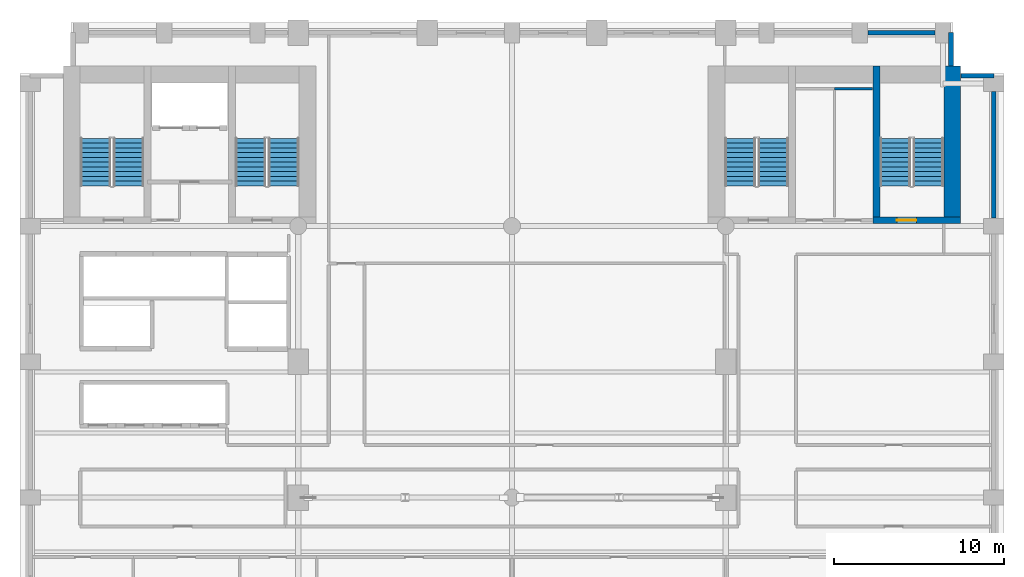
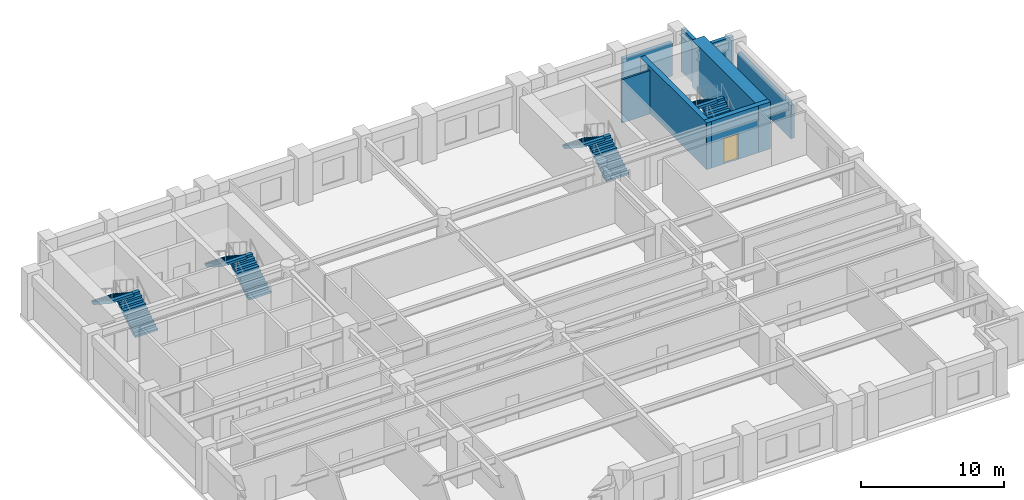
# One storey, part 8 of 10: 8 stair flights, 8 walls, 1 door, 1 opening, 4 elements without a shape of their own.
"""IFC4 building model written with IfcOpenShell, lengths in metres."""

from ifc_helpers import new_model, si_unit, direction, frame, frame_2d, origin, place, context, subcontext, project, spatial, polyline, rectangle, outline, extrude, material, layer, layer_set, type_object, element, fill, aggregate, save


model = new_model("IFC4")

# Units and contexts
model_context = context("Model", 3, precision=1e-05, world=origin(), true_north=direction((0.0, 1.0)))
body_context = subcontext(model_context, "Body", "Model", "MODEL_VIEW")
ifc_project = project(units=[si_unit("LENGTHUNIT", "METRE"), si_unit("AREAUNIT", "SQUARE_METRE"), si_unit("VOLUMEUNIT", "CUBIC_METRE"), si_unit("PLANEANGLEUNIT", "RADIAN"), si_unit("MASSUNIT", "GRAM", prefix="KILO")], contexts=[model_context])

# Site, building, storey
site_placement = place(None, origin())
site = spatial("IfcSite", under=ifc_project, at=site_placement, CompositionType="ELEMENT")
building_placement = place(site_placement, origin())
building = spatial("IfcBuilding", under=site, at=building_placement, Name="Sulina Concourse Tower", CompositionType="ELEMENT")
storey_placement = place(building_placement, frame((0.0, 0.0, 54.60009765625)))
storey = spatial("IfcBuildingStorey", under=building, at=storey_placement, Name="L13", CompositionType="ELEMENT", Elevation=54.60009765625)

# Wall
ifc_material_1 = material(Name="Gypsum board on steel stud", Category="steel")
ifc_layer_1 = layer(ifc_material_1, 0.14990234375)
ifc_layer_set_1 = layer_set([ifc_layer_1], Name="Gypsum board on steel stud")
wall_type_1 = type_object("IfcWallType", Name="Inter-Tenancy Acoustic Partition 150mm", PredefinedType="PARTITIONING", material=ifc_layer_set_1)
wall_1_placement = place(storey_placement, frame((48.0, 42.10009765625, 0.0), z_axis=(0.0, 0.0, 1.0), x_axis=(1.0, 0.0, 0.0)))
element("IfcWall", 1, at=wall_1_placement, inside=storey, type_object=wall_type_1, Name="L13 interior partition 026", PredefinedType="PARTITIONING", context=body_context, shape_type="SweptSolid", body=[
    extrude(rectangle(XDim=2.25, YDim=0.14990234375, at=frame_2d((1.125, 0.0))), origin(), (0.0, 0.0, 1.0), 3.699951171875),
])

# Wall, opening, door
ifc_material_2 = material(Name="Concrete C60/75", Category="concrete")
ifc_layer_2 = layer(ifc_material_2, 0.39990234375)
ifc_layer_set_2 = layer_set([ifc_layer_2], Name="Concrete C60/75")
wall_type_2 = type_object("IfcWallType", Name="Protected Stair Core Shear Wall 400mm", PredefinedType="SHEAR", material=ifc_layer_set_2)
wall_2_placement = place(storey_placement, frame((50.2900390625, 34.35009765625, 0.0), z_axis=(0.0, 0.0, 1.0), x_axis=(1.0, 0.0, 0.0)))
wall_2 = element("IfcWall", 2, at=wall_2_placement, inside=storey, type_object=wall_type_2, Name="L13 east core shear wall CW-ES2", PredefinedType="SHEAR", context=body_context, shape_type="SweptSolid", body=[
    extrude(rectangle(XDim=5.159912109375, YDim=0.39990234375, at=frame_2d((2.580078125, 0.0))), origin(), (0.0, 0.0, 1.0), 4.0),
])
opening_placement = place(wall_2_placement, frame((1.39990234375, 0.0, 0.0)))
opening = element("IfcOpeningElement", 3, at=opening_placement, cuts=wall_2, Name="Opening DR-60", PredefinedType="OPENING", context=body_context, shape_type="SweptSolid", body=[
    extrude(rectangle(XDim=1.14990234375, YDim=2.199951171875, at=frame_2d((0.574951171875, 1.10009765625))), frame((0.0, 0.2099609375, 0.0), z_axis=(0.0, -1.0, 0.0), x_axis=(1.0, 0.0, 0.0)), (0.0, 0.0, 1.0), 0.419921875),
])
ifc_material_3 = material(Name="Galvanised steel acoustic fire leaf", Category="steel")
ifc_layer_3 = layer(ifc_material_3, 0.054931640625)
ifc_layer_set_3 = layer_set([ifc_layer_3], Name="Galvanised steel acoustic fire leaf")
door_type = type_object("IfcDoorType", Name="Protected Exit Stair Fire Door 1150x2200", OperationType="NOTDEFINED", PredefinedType="DOOR", material=ifc_layer_set_3)
door_placement = place(opening_placement, origin())
door = element("IfcDoor", 4, at=door_placement, inside=storey, type_object=door_type, Name="L13 stair ST-4 south lobby fire door", OperationType="SINGLE_SWING_RIGHT", OverallHeight=2.199951171875, OverallWidth=1.14990234375, PredefinedType="DOOR", context=body_context, shape_type="SweptSolid", body=[
    extrude(rectangle(XDim=1.14990234375, YDim=2.199951171875, at=frame_2d((0.574951171875, 1.10009765625))), frame((0.0, 0.02490234375, 0.0), z_axis=(0.0, -1.0, 0.0), x_axis=(1.0, 0.0, 0.0)), (0.0, 0.0, 1.0), 0.050048828125),
])
fill(opening, door)

# Walls
wall_3_placement = place(storey_placement, frame((50.489990234375, 34.14990234375, 0.0), z_axis=(0.0, 0.0, 1.0), x_axis=(0.0, 1.0, 0.0)))
element("IfcWall", 5, at=wall_3_placement, inside=storey, type_object=wall_type_2, Name="L13 east core shear wall SW-ST4", PredefinedType="SHEAR", context=body_context, shape_type="SweptSolid", body=[
    extrude(rectangle(XDim=9.280029296875, YDim=0.39990234375, at=frame_2d((4.64013671875, 0.0))), origin(), (0.0, 0.0, 1.0), 4.0),
])
ifc_material_4 = material(Name="Concrete C80/95", Category="concrete")
ifc_layer_4 = layer(ifc_material_4, 1.0)
ifc_layer_set_4 = layer_set([ifc_layer_4], Name="Concrete C80/95")
wall_type_3 = type_object("IfcWallType", Name="Rear Core Shear Wall 1000mm", PredefinedType="SHEAR", material=ifc_layer_set_4)
wall_4_placement = place(storey_placement, frame((54.949951171875, 34.14990234375, 0.0), z_axis=(0.0, 0.0, 1.0), x_axis=(0.0, 1.0, 0.0)))
element("IfcWall", 6, at=wall_4_placement, inside=storey, type_object=wall_type_3, Name="L13 east core shear wall CW-EE", PredefinedType="SHEAR", context=body_context, shape_type="SweptSolid", body=[
    extrude(rectangle(XDim=9.280029296875, YDim=1.0, at=frame_2d((4.64013671875, 0.0))), origin(), (0.0, 0.0, 1.0), 4.0),
])
ifc_material_5 = material(Name="Precast concrete C50/60", Category="concrete")
ifc_layer_5 = layer(ifc_material_5, 0.280029296875)
ifc_layer_set_5 = layer_set([ifc_layer_5], Name="Precast concrete C50/60")
wall_type_4 = type_object("IfcWallType", Name="Typical Precast Masonry-Frame Facade Wall 280mm", PredefinedType="SOLIDWALL", material=ifc_layer_set_5)
wall_5_placement = place(storey_placement, frame((49.969970703125, 45.39990234375, 0.0), z_axis=(0.0, 0.0, 1.0), x_axis=(1.0, 0.0, 0.0)))
element("IfcWall", 7, at=wall_5_placement, inside=storey, type_object=wall_type_4, Name="L13 exterior precast wall N10", PredefinedType="SOLIDWALL", context=body_context, shape_type="SweptSolid", body=[
    extrude(rectangle(XDim=3.9599609375, YDim=0.280029296875, at=frame_2d((1.97998046875, 0.0))), origin(), (0.0, 0.0, 1.0), 2.849853515625),
])
wall_6_placement = place(storey_placement, frame((57.39990234375, 41.929931640625, 0.0), z_axis=(0.0, 0.0, 1.0), x_axis=(0.0, -1.0, 0.0)))
element("IfcWall", 8, at=wall_6_placement, inside=storey, type_object=wall_type_4, Name="L13 exterior precast wall E5", PredefinedType="SOLIDWALL", context=body_context, shape_type="SweptSolid", body=[
    extrude(rectangle(XDim=7.4599609375, YDim=0.280029296875, at=frame_2d((3.72998046875, 0.0))), origin(), (0.0, 0.0, 1.0), 2.849853515625),
])
wall_7_placement = place(storey_placement, frame((54.8701171875, 45.39990234375, 0.0), z_axis=(0.0, 0.0, 1.0), x_axis=(0.0, -1.0, 0.0)))
element("IfcWall", 9, at=wall_7_placement, inside=storey, type_object=wall_type_4, Name="L13 exterior precast wall CNE1", PredefinedType="SOLIDWALL", context=body_context, shape_type="SweptSolid", body=[
    extrude(rectangle(XDim=1.96484375, YDim=0.280029296875, at=frame_2d((0.982421875, 0.0))), origin(), (0.0, 0.0, 1.0), 3.699951171875),
])
wall_8_placement = place(storey_placement, frame((55.455078125, 42.8701171875, 0.0), z_axis=(0.0, 0.0, 1.0), x_axis=(1.0, 0.0, 0.0)))
element("IfcWall", 10, at=wall_8_placement, inside=storey, type_object=wall_type_4, Name="L13 exterior precast wall CNE2", PredefinedType="SOLIDWALL", context=body_context, shape_type="SweptSolid", body=[
    extrude(rectangle(XDim=1.94482421875, YDim=0.280029296875, at=frame_2d((0.972412109375, 0.0))), origin(), (0.0, 0.0, 1.0), 3.699951171875),
])

# Stair, stair flights
ifc_material_6 = material(Name="Concrete C50/60", Category="concrete")
stair_type_1 = type_object("IfcStairType", Name="Portal & Podium Core Exit Stair 1820mm", PredefinedType="HALF_TURN_STAIR", material=ifc_material_6)
stair_1_placement = place(storey_placement, origin())
stair_1 = element("IfcStair", 11, at=stair_1_placement, inside=storey, type_object=stair_type_1, Name="L13 ST-3", PredefinedType="HALF_TURN_STAIR")
ifc_material_7 = material(Name="Concrete C50/60", Category="concrete")
stair_flight_type_1 = type_object("IfcStairFlightType", Name="Portal & Podium Core Exit Stair 1820mm Flight", PredefinedType="STRAIGHT", material=ifc_material_7)
stair_flight_1_placement = place(storey_placement, frame((44.405029296875, 36.375, 0.0), z_axis=(0.0, 0.0, 1.0), x_axis=(0.0, 1.0, 0.0)))
stair_flight_1 = element("IfcStairFlight", 12, at=stair_flight_1_placement, type_object=stair_flight_type_1, Name="ST-3 flight 1", NumberOfRisers=11, NumberOfTreads=10, PredefinedType="STRAIGHT", RiserHeight=0.181818182, TreadLength=0.28, context=body_context, shape_type="SweptSolid", body=[
    extrude(outline(polyline([(0.0, 0.0), (0.0, 0.181884765625), (0.280029296875, 0.181884765625), (0.280029296875, 0.363525390625), (0.56005859375, 0.363525390625), (0.56005859375, 0.54541015625), (0.840087890625, 0.54541015625), (0.840087890625, 0.727294921875), (1.1201171875, 0.727294921875), (1.1201171875, 0.9091796875), (1.39990234375, 0.9091796875), (1.39990234375, 1.0908203125), (1.679931640625, 1.0908203125), (1.679931640625, 1.272705078125), (1.9599609375, 1.272705078125), (1.9599609375, 1.45458984375), (2.239990234375, 1.45458984375), (2.239990234375, 1.636474609375), (2.52001953125, 1.636474609375), (2.52001953125, 1.818115234375), (2.800048828125, 1.818115234375), (2.800048828125, 2.0), (2.800048828125, 1.603759765625), (0.330322265625, 0.0), (0.0, 0.0)])), frame((0.0, 0.89990234375, 0.0), z_axis=(0.0, -1.0, 0.0), x_axis=(1.0, 0.0, 0.0)), (0.0, 0.0, 1.0), 1.800048828125),
])
stair_flight_2_placement = place(storey_placement, frame((42.455078125, 39.175048828125, 2.0), z_axis=(0.0, 0.0, 1.0), x_axis=(0.0, -1.0, 0.0)))
stair_flight_2 = element("IfcStairFlight", 13, at=stair_flight_2_placement, type_object=stair_flight_type_1, Name="ST-3 flight 2", NumberOfRisers=11, NumberOfTreads=10, PredefinedType="STRAIGHT", RiserHeight=0.181818182, TreadLength=0.28, context=body_context, shape_type="SweptSolid", body=[
    extrude(outline(polyline([(0.0, 0.0), (0.0, 0.181884765625), (0.280029296875, 0.181884765625), (0.280029296875, 0.363525390625), (0.56005859375, 0.363525390625), (0.56005859375, 0.54541015625), (0.840087890625, 0.54541015625), (0.840087890625, 0.727294921875), (1.1201171875, 0.727294921875), (1.1201171875, 0.9091796875), (1.39990234375, 0.9091796875), (1.39990234375, 1.0908203125), (1.679931640625, 1.0908203125), (1.679931640625, 1.272705078125), (1.9599609375, 1.272705078125), (1.9599609375, 1.45458984375), (2.239990234375, 1.45458984375), (2.239990234375, 1.636474609375), (2.52001953125, 1.636474609375), (2.52001953125, 1.818115234375), (2.800048828125, 1.818115234375), (2.800048828125, 2.0), (2.800048828125, 1.603759765625), (0.330322265625, 0.0), (0.0, 0.0)])), frame((0.0, 0.89990234375, 0.0), z_axis=(0.0, -1.0, 0.0), x_axis=(1.0, 0.0, 0.0)), (0.0, 0.0, 1.0), 1.800048828125),
])
aggregate(stair_1, [stair_flight_1, stair_flight_2])

stair_2_placement = place(storey_placement, origin())
stair_2 = element("IfcStair", 14, at=stair_2_placement, inside=storey, type_object=stair_type_1, Name="L13 ST-4", PredefinedType="HALF_TURN_STAIR")
stair_flight_3_placement = place(storey_placement, frame((53.544921875, 36.375, 0.0), z_axis=(0.0, 0.0, 1.0), x_axis=(0.0, 1.0, 0.0)))
stair_flight_3 = element("IfcStairFlight", 15, at=stair_flight_3_placement, type_object=stair_flight_type_1, Name="ST-4 flight 1", NumberOfRisers=11, NumberOfTreads=10, PredefinedType="STRAIGHT", RiserHeight=0.181818182, TreadLength=0.28, context=body_context, shape_type="SweptSolid", body=[
    extrude(outline(polyline([(0.0, 0.0), (0.0, 0.181884765625), (0.280029296875, 0.181884765625), (0.280029296875, 0.363525390625), (0.56005859375, 0.363525390625), (0.56005859375, 0.54541015625), (0.840087890625, 0.54541015625), (0.840087890625, 0.727294921875), (1.1201171875, 0.727294921875), (1.1201171875, 0.9091796875), (1.39990234375, 0.9091796875), (1.39990234375, 1.0908203125), (1.679931640625, 1.0908203125), (1.679931640625, 1.272705078125), (1.9599609375, 1.272705078125), (1.9599609375, 1.45458984375), (2.239990234375, 1.45458984375), (2.239990234375, 1.636474609375), (2.52001953125, 1.636474609375), (2.52001953125, 1.818115234375), (2.800048828125, 1.818115234375), (2.800048828125, 2.0), (2.800048828125, 1.603759765625), (0.330322265625, 0.0), (0.0, 0.0)])), frame((0.0, 0.89990234375, 0.0), z_axis=(0.0, -1.0, 0.0), x_axis=(1.0, 0.0, 0.0)), (0.0, 0.0, 1.0), 1.800048828125),
])
stair_flight_4_placement = place(storey_placement, frame((51.594970703125, 39.175048828125, 2.0), z_axis=(0.0, 0.0, 1.0), x_axis=(0.0, -1.0, 0.0)))
stair_flight_4 = element("IfcStairFlight", 16, at=stair_flight_4_placement, type_object=stair_flight_type_1, Name="ST-4 flight 2", NumberOfRisers=11, NumberOfTreads=10, PredefinedType="STRAIGHT", RiserHeight=0.181818182, TreadLength=0.28, context=body_context, shape_type="SweptSolid", body=[
    extrude(outline(polyline([(0.0, 0.0), (0.0, 0.181884765625), (0.280029296875, 0.181884765625), (0.280029296875, 0.363525390625), (0.56005859375, 0.363525390625), (0.56005859375, 0.54541015625), (0.840087890625, 0.54541015625), (0.840087890625, 0.727294921875), (1.1201171875, 0.727294921875), (1.1201171875, 0.9091796875), (1.39990234375, 0.9091796875), (1.39990234375, 1.0908203125), (1.679931640625, 1.0908203125), (1.679931640625, 1.272705078125), (1.9599609375, 1.272705078125), (1.9599609375, 1.45458984375), (2.239990234375, 1.45458984375), (2.239990234375, 1.636474609375), (2.52001953125, 1.636474609375), (2.52001953125, 1.818115234375), (2.800048828125, 1.818115234375), (2.800048828125, 2.0), (2.800048828125, 1.603759765625), (0.330322265625, 0.0), (0.0, 0.0)])), frame((0.0, 0.89990234375, 0.0), z_axis=(0.0, -1.0, 0.0), x_axis=(1.0, 0.0, 0.0)), (0.0, 0.0, 1.0), 1.800048828125),
])
aggregate(stair_2, [stair_flight_3, stair_flight_4])

ifc_material_8 = material(Name="Concrete C50/60", Category="concrete")
stair_type_2 = type_object("IfcStairType", Name="Primary Core Dog-Leg Exit Stair 1800mm", PredefinedType="HALF_TURN_STAIR", material=ifc_material_8)
stair_3_placement = place(storey_placement, origin())
stair_3 = element("IfcStair", 17, at=stair_3_placement, inside=storey, type_object=stair_type_2, Name="L13 ST-1", PredefinedType="HALF_TURN_STAIR")
ifc_material_9 = material(Name="Concrete C50/60", Category="concrete")
stair_flight_type_2 = type_object("IfcStairFlightType", Name="Primary Core Dog-Leg Exit Stair 1800mm Flight", PredefinedType="STRAIGHT", material=ifc_material_9)
stair_flight_5_placement = place(storey_placement, frame((6.405029296875, 36.375, 0.0), z_axis=(0.0, 0.0, 1.0), x_axis=(0.0, 1.0, 0.0)))
stair_flight_5 = element("IfcStairFlight", 18, at=stair_flight_5_placement, type_object=stair_flight_type_2, Name="ST-1 flight 1", NumberOfRisers=11, NumberOfTreads=10, PredefinedType="STRAIGHT", RiserHeight=0.181818182, TreadLength=0.28, context=body_context, shape_type="SweptSolid", body=[
    extrude(outline(polyline([(0.0, 0.0), (0.0, 0.181884765625), (0.280029296875, 0.181884765625), (0.280029296875, 0.363525390625), (0.56005859375, 0.363525390625), (0.56005859375, 0.54541015625), (0.840087890625, 0.54541015625), (0.840087890625, 0.727294921875), (1.1201171875, 0.727294921875), (1.1201171875, 0.9091796875), (1.39990234375, 0.9091796875), (1.39990234375, 1.0908203125), (1.679931640625, 1.0908203125), (1.679931640625, 1.272705078125), (1.9599609375, 1.272705078125), (1.9599609375, 1.45458984375), (2.239990234375, 1.45458984375), (2.239990234375, 1.636474609375), (2.52001953125, 1.636474609375), (2.52001953125, 1.818115234375), (2.800048828125, 1.818115234375), (2.800048828125, 2.0), (2.800048828125, 1.603759765625), (0.330322265625, 0.0), (0.0, 0.0)])), frame((0.0, 0.89990234375, 0.0), z_axis=(0.0, -1.0, 0.0), x_axis=(1.0, 0.0, 0.0)), (0.0, 0.0, 1.0), 1.800048828125),
])
stair_flight_6_placement = place(storey_placement, frame((4.455078125, 39.175048828125, 2.0), z_axis=(0.0, 0.0, 1.0), x_axis=(0.0, -1.0, 0.0)))
stair_flight_6 = element("IfcStairFlight", 19, at=stair_flight_6_placement, type_object=stair_flight_type_2, Name="ST-1 flight 2", NumberOfRisers=11, NumberOfTreads=10, PredefinedType="STRAIGHT", RiserHeight=0.181818182, TreadLength=0.28, context=body_context, shape_type="SweptSolid", body=[
    extrude(outline(polyline([(0.0, 0.0), (0.0, 0.181884765625), (0.280029296875, 0.181884765625), (0.280029296875, 0.363525390625), (0.56005859375, 0.363525390625), (0.56005859375, 0.54541015625), (0.840087890625, 0.54541015625), (0.840087890625, 0.727294921875), (1.1201171875, 0.727294921875), (1.1201171875, 0.9091796875), (1.39990234375, 0.9091796875), (1.39990234375, 1.0908203125), (1.679931640625, 1.0908203125), (1.679931640625, 1.272705078125), (1.9599609375, 1.272705078125), (1.9599609375, 1.45458984375), (2.239990234375, 1.45458984375), (2.239990234375, 1.636474609375), (2.52001953125, 1.636474609375), (2.52001953125, 1.818115234375), (2.800048828125, 1.818115234375), (2.800048828125, 2.0), (2.800048828125, 1.603759765625), (0.330322265625, 0.0), (0.0, 0.0)])), frame((0.0, 0.89990234375, 0.0), z_axis=(0.0, -1.0, 0.0), x_axis=(1.0, 0.0, 0.0)), (0.0, 0.0, 1.0), 1.800048828125),
])
aggregate(stair_3, [stair_flight_5, stair_flight_6])

stair_4_placement = place(storey_placement, origin())
stair_4 = element("IfcStair", 20, at=stair_4_placement, inside=storey, type_object=stair_type_2, Name="L13 ST-2", PredefinedType="HALF_TURN_STAIR")
stair_flight_7_placement = place(storey_placement, frame((15.544921875, 36.375, 0.0), z_axis=(0.0, 0.0, 1.0), x_axis=(0.0, 1.0, 0.0)))
stair_flight_7 = element("IfcStairFlight", 21, at=stair_flight_7_placement, type_object=stair_flight_type_2, Name="ST-2 flight 1", NumberOfRisers=11, NumberOfTreads=10, PredefinedType="STRAIGHT", RiserHeight=0.181818182, TreadLength=0.28, context=body_context, shape_type="SweptSolid", body=[
    extrude(outline(polyline([(0.0, 0.0), (0.0, 0.181884765625), (0.280029296875, 0.181884765625), (0.280029296875, 0.363525390625), (0.56005859375, 0.363525390625), (0.56005859375, 0.54541015625), (0.840087890625, 0.54541015625), (0.840087890625, 0.727294921875), (1.1201171875, 0.727294921875), (1.1201171875, 0.9091796875), (1.39990234375, 0.9091796875), (1.39990234375, 1.0908203125), (1.679931640625, 1.0908203125), (1.679931640625, 1.272705078125), (1.9599609375, 1.272705078125), (1.9599609375, 1.45458984375), (2.239990234375, 1.45458984375), (2.239990234375, 1.636474609375), (2.52001953125, 1.636474609375), (2.52001953125, 1.818115234375), (2.800048828125, 1.818115234375), (2.800048828125, 2.0), (2.800048828125, 1.603759765625), (0.330322265625, 0.0), (0.0, 0.0)])), frame((0.0, 0.89990234375, 0.0), z_axis=(0.0, -1.0, 0.0), x_axis=(1.0, 0.0, 0.0)), (0.0, 0.0, 1.0), 1.800048828125),
])
stair_flight_8_placement = place(storey_placement, frame((13.594970703125, 39.175048828125, 2.0), z_axis=(0.0, 0.0, 1.0), x_axis=(0.0, -1.0, 0.0)))
stair_flight_8 = element("IfcStairFlight", 22, at=stair_flight_8_placement, type_object=stair_flight_type_2, Name="ST-2 flight 2", NumberOfRisers=11, NumberOfTreads=10, PredefinedType="STRAIGHT", RiserHeight=0.181818182, TreadLength=0.28, context=body_context, shape_type="SweptSolid", body=[
    extrude(outline(polyline([(0.0, 0.0), (0.0, 0.181884765625), (0.280029296875, 0.181884765625), (0.280029296875, 0.363525390625), (0.56005859375, 0.363525390625), (0.56005859375, 0.54541015625), (0.840087890625, 0.54541015625), (0.840087890625, 0.727294921875), (1.1201171875, 0.727294921875), (1.1201171875, 0.9091796875), (1.39990234375, 0.9091796875), (1.39990234375, 1.0908203125), (1.679931640625, 1.0908203125), (1.679931640625, 1.272705078125), (1.9599609375, 1.272705078125), (1.9599609375, 1.45458984375), (2.239990234375, 1.45458984375), (2.239990234375, 1.636474609375), (2.52001953125, 1.636474609375), (2.52001953125, 1.818115234375), (2.800048828125, 1.818115234375), (2.800048828125, 2.0), (2.800048828125, 1.603759765625), (0.330322265625, 0.0), (0.0, 0.0)])), frame((0.0, 0.89990234375, 0.0), z_axis=(0.0, -1.0, 0.0), x_axis=(1.0, 0.0, 0.0)), (0.0, 0.0, 1.0), 1.800048828125),
])
aggregate(stair_4, [stair_flight_7, stair_flight_8])

save(model, "model.ifc")
